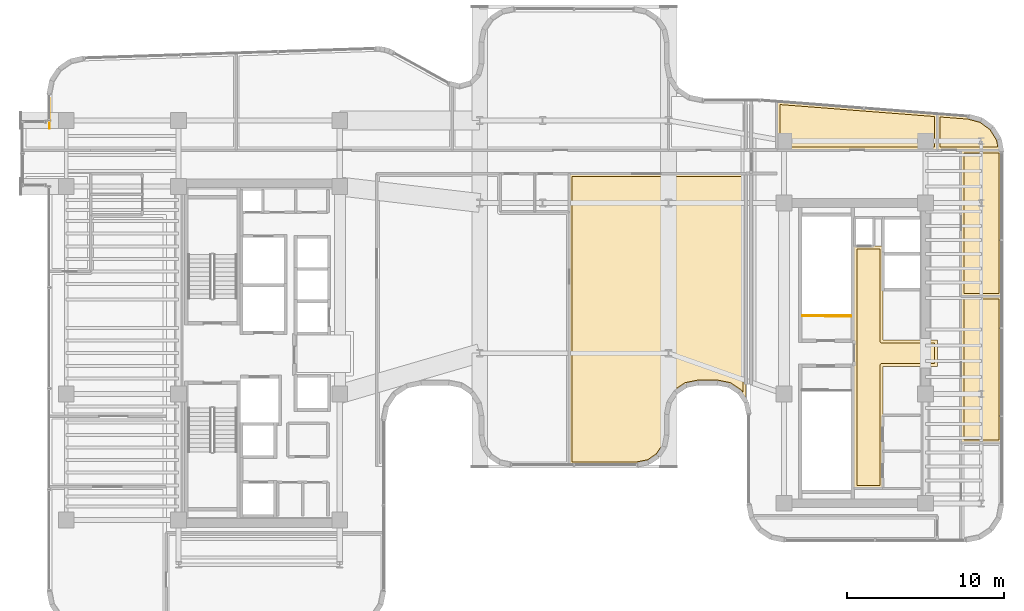
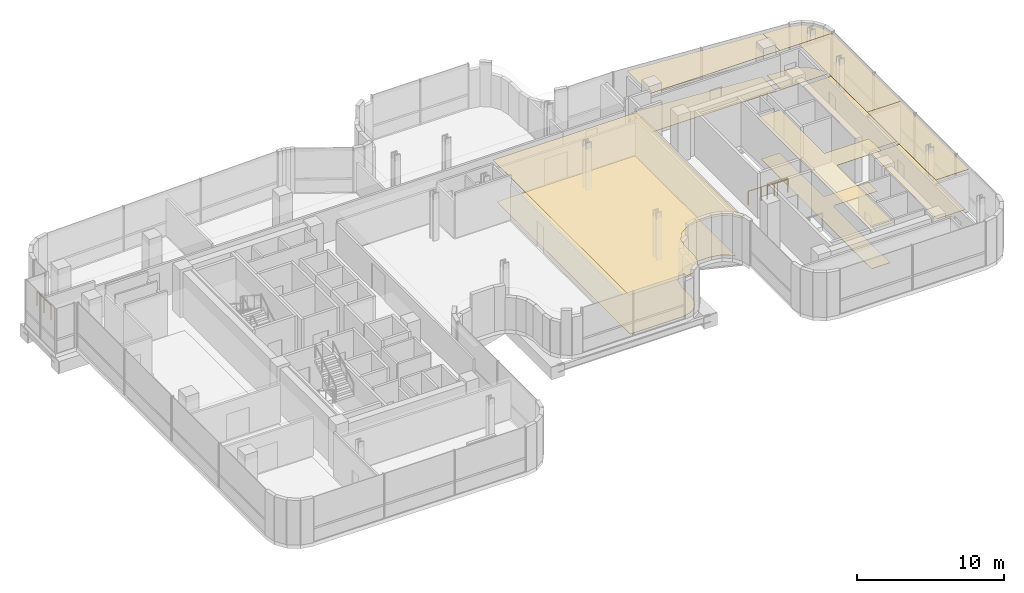
# One storey, part 34 of 35: 12 coverings, 3 railings.
"""IFC4 building model written with IfcOpenShell, lengths in metres."""

from ifc_helpers import new_model, si_unit, direction, frame, origin, origin_2d, place, context, subcontext, project, spatial, polyline, circle, outline, extrude, material, layer, layer_set, type_object, element, save


model = new_model("IFC4")

# Units and contexts
model_context = context("Model", 3, precision=1e-05, world=origin(), true_north=direction((0.0, 1.0)))
body_context = subcontext(model_context, "Body", "Model", "MODEL_VIEW")
ifc_project = project(units=[si_unit("LENGTHUNIT", "METRE"), si_unit("AREAUNIT", "SQUARE_METRE"), si_unit("VOLUMEUNIT", "CUBIC_METRE"), si_unit("PLANEANGLEUNIT", "RADIAN"), si_unit("MASSUNIT", "GRAM", prefix="KILO")], contexts=[model_context])

# Site, building, storey
site_placement = place(None, origin())
site = spatial("IfcSite", under=ifc_project, at=site_placement, CompositionType="ELEMENT")
building_placement = place(site_placement, origin())
building = spatial("IfcBuilding", under=site, at=building_placement, Name="Valdorenza Pilgrim Sanctuary Tower", CompositionType="ELEMENT")
storey_placement = place(building_placement, frame((0.0, 0.0, 192.35009765625)))
storey = spatial("IfcBuildingStorey", under=building, at=storey_placement, Name="L49", CompositionType="ELEMENT", Elevation=192.35009765625)

# Coverings
ifc_material_1 = material(Name="Micro-perforated acoustic mineral ceiling tile", Category="gypsum")
ifc_layer_1 = layer(ifc_material_1, 0.02490234375, Name="Micro-perforated acoustic mineral ceiling tile")
ifc_layer_set_1 = layer_set([ifc_layer_1], Name="Micro-perforated acoustic mineral ceiling tile")
covering_type_1 = type_object("IfcCoveringType", Name="COV-CLG-ACU", PredefinedType="CEILING", material=ifc_layer_set_1)
covering_1_placement = place(storey_placement, frame((0.0, 0.0, 3.409912109375)))
element("IfcCovering", 1, at=covering_1_placement, inside=storey, type_object=covering_type_1, Name="L49 Core B Passenger Lift Lobby Acoustic Ceiling", PredefinedType="CEILING", context=body_context, shape_type="SweptSolid", body=[
    extrude(outline(polyline([(20.287109375, -0.814697265625), (20.287109375, 0.814697265625), (20.28662109375, 0.815185546875), (20.2861328125, 0.81640625), (20.28564453125, 0.81787109375), (20.285400390625, 0.819091796875), (20.28515625, 0.820556640625), (20.284912109375, 0.822021484375), (20.284912109375, 6.800048828125), (20.28515625, 6.801513671875), (20.285400390625, 6.802978515625), (20.28564453125, 6.804443359375), (20.2861328125, 6.8056640625), (20.286865234375, 6.80712890625), (20.28759765625, 6.808349609375), (20.288330078125, 6.8095703125), (20.289306640625, 6.810546875), (20.29052734375, 6.8115234375), (20.291748046875, 6.8125), (20.29296875, 6.813232421875), (20.294189453125, 6.81396484375), (20.295654296875, 6.814453125), (20.297119140625, 6.814697265625), (20.298583984375, 6.81494140625), (20.300048828125, 6.81494140625), (20.347900390625, 6.81494140625), (20.349365234375, 6.81494140625), (20.350830078125, 6.814697265625), (20.352294921875, 6.814453125), (20.353515625, 6.81396484375), (20.35498046875, 6.813232421875), (20.35546875, 6.81298828125), (21.544677734375, 6.81298828125), (21.545166015625, 6.813232421875), (21.54638671875, 6.81396484375), (21.5478515625, 6.814453125), (21.54931640625, 6.814697265625), (21.550537109375, 6.81494140625), (21.552001953125, 6.81494140625), (22.1201171875, 6.81494140625), (22.12158203125, 6.81494140625), (22.122802734375, 6.814697265625), (22.12451171875, 6.814453125), (22.125732421875, 6.81396484375), (22.127197265625, 6.813232421875), (22.12841796875, 6.8125), (22.12939453125, 6.8115234375), (22.130615234375, 6.810546875), (22.131591796875, 6.8095703125), (22.132568359375, 6.808349609375), (22.13330078125, 6.80712890625), (22.1337890625, 6.8056640625), (22.134521484375, 6.804443359375), (22.134765625, 6.802978515625), (22.135009765625, 6.801513671875), (22.135009765625, 6.800048828125), (22.135009765625, 0.8349609375), (25.60009765625, 0.8349609375), (25.6015625, 0.8349609375), (25.602783203125, 0.834716796875), (25.6044921875, 0.83447265625), (25.605712890625, 0.833984375), (25.607177734375, 0.833251953125), (25.6083984375, 0.83251953125), (25.609619140625, 0.83154296875), (25.610595703125, 0.83056640625), (25.611572265625, 0.82958984375), (25.612548828125, 0.828369140625), (25.61328125, 0.8271484375), (25.614013671875, 0.82568359375), (25.614501953125, 0.824462890625), (25.61474609375, 0.822998046875), (25.614990234375, 0.821533203125), (25.614990234375, 0.820068359375), (25.614990234375, -0.820068359375), (25.614990234375, -0.821533203125), (25.61474609375, -0.822998046875), (25.614501953125, -0.824462890625), (25.614013671875, -0.82568359375), (25.61328125, -0.8271484375), (25.612548828125, -0.828369140625), (25.611572265625, -0.82958984375), (25.610595703125, -0.83056640625), (25.609619140625, -0.83154296875), (25.6083984375, -0.83251953125), (25.607177734375, -0.833251953125), (25.605712890625, -0.833984375), (25.6044921875, -0.83447265625), (25.602783203125, -0.834716796875), (25.6015625, -0.8349609375), (25.60009765625, -0.8349609375), (22.135009765625, -0.8349609375), (22.135009765625, -8.60009765625), (22.135009765625, -8.6015625), (22.134765625, -8.602783203125), (22.134521484375, -8.6044921875), (22.1337890625, -8.605712890625), (22.13330078125, -8.607177734375), (22.132568359375, -8.6083984375), (22.131591796875, -8.609619140625), (22.130615234375, -8.610595703125), (22.12939453125, -8.611572265625), (22.12841796875, -8.612548828125), (22.127197265625, -8.61328125), (22.125732421875, -8.614013671875), (22.12451171875, -8.614501953125), (22.122802734375, -8.61474609375), (22.12158203125, -8.614990234375), (22.1201171875, -8.614990234375), (20.300048828125, -8.614990234375), (20.298583984375, -8.614990234375), (20.297119140625, -8.61474609375), (20.295654296875, -8.614501953125), (20.294189453125, -8.614013671875), (20.29296875, -8.61328125), (20.291748046875, -8.612548828125), (20.29052734375, -8.611572265625), (20.289306640625, -8.610595703125), (20.288330078125, -8.609619140625), (20.28759765625, -8.6083984375), (20.286865234375, -8.607177734375), (20.2861328125, -8.605712890625), (20.28564453125, -8.6044921875), (20.285400390625, -8.602783203125), (20.28515625, -8.6015625), (20.284912109375, -8.60009765625), (20.284912109375, -0.822021484375), (20.28515625, -0.820556640625), (20.285400390625, -0.819091796875), (20.28564453125, -0.81787109375), (20.2861328125, -0.81640625), (20.28662109375, -0.815185546875), (20.287109375, -0.814697265625)])), origin(), (0.0, 0.0, 1.0), 0.02490234375),
])
covering_2_placement = place(storey_placement, frame((0.0, 0.0, 3.409912109375)))
element("IfcCovering", 2, at=covering_2_placement, inside=storey, type_object=covering_type_1, Name="L49 Sacred Archive Reading Library Acoustic Ceiling", PredefinedType="CEILING", context=body_context, shape_type="SweptSolid", body=[
    extrude(outline(polyline([(2.18701171875, 8.996337890625), (2.18701171875, 8.996826171875), (2.186767578125, 8.99853515625), (2.186767578125, 9.0), (2.18701171875, 9.00146484375), (2.18701171875, 9.001708984375), (2.18701171875, 11.419921875), (2.18701171875, 11.42138671875), (2.187255859375, 11.4228515625), (2.1875, 11.42431640625), (2.18798828125, 11.42578125), (2.188720703125, 11.427001953125), (2.189453125, 11.42822265625), (2.1904296875, 11.429443359375), (2.19140625, 11.4306640625), (2.1923828125, 11.431640625), (2.193603515625, 11.4326171875), (2.19482421875, 11.43310546875), (2.1962890625, 11.433837890625), (2.197509765625, 11.434326171875), (2.19921875, 11.434814453125), (2.200439453125, 11.434814453125), (2.201904296875, 11.43505859375), (13.419921875, 11.43505859375), (13.42138671875, 11.434814453125), (13.4228515625, 11.434814453125), (13.42431640625, 11.434326171875), (13.42578125, 11.433837890625), (13.427001953125, 11.43310546875), (13.42822265625, 11.4326171875), (13.429443359375, 11.431640625), (13.4306640625, 11.4306640625), (13.431640625, 11.429443359375), (13.4326171875, 11.42822265625), (13.43310546875, 11.427001953125), (13.433837890625, 11.42578125), (13.434326171875, 11.42431640625), (13.434814453125, 11.4228515625), (13.434814453125, 11.42138671875), (13.43505859375, 11.419921875), (13.43505859375, -3.071533203125), (13.434814453125, -3.072998046875), (13.434814453125, -3.074462890625), (13.434326171875, -3.075927734375), (13.433837890625, -3.077392578125), (13.43310546875, -3.07861328125), (13.4326171875, -3.079833984375), (13.431640625, -3.0810546875), (13.4306640625, -3.082275390625), (13.429443359375, -3.083251953125), (13.42822265625, -3.083984375), (13.427001953125, -3.084716796875), (13.42578125, -3.08544921875), (13.42431640625, -3.0859375), (13.4228515625, -3.086181640625), (13.42138671875, -3.08642578125), (13.419921875, -3.086669921875), (13.41845703125, -3.08642578125), (13.4169921875, -3.086181640625), (13.41552734375, -3.0859375), (13.414306640625, -3.08544921875), (13.412841796875, -3.084716796875), (13.41162109375, -3.083984375), (13.410400390625, -3.083251953125), (13.409423828125, -3.082275390625), (13.408447265625, -3.0810546875), (13.407470703125, -3.079833984375), (13.022705078125, -2.50390625), (13.016845703125, -2.49609375), (13.0107421875, -2.4892578125), (13.00390625, -2.483154296875), (12.99609375, -2.477294921875), (12.380126953125, -2.06591796875), (12.371826171875, -2.060791015625), (12.36328125, -2.056884765625), (12.354736328125, -2.0537109375), (12.34521484375, -2.051513671875), (11.618896484375, -1.906982421875), (11.609375, -1.905517578125), (11.599609375, -1.905029296875), (10.400390625, -1.905029296875), (10.390625, -1.905517578125), (10.381103515625, -1.906982421875), (9.65478515625, -2.051513671875), (9.645263671875, -2.0537109375), (9.63671875, -2.056884765625), (9.628173828125, -2.060791015625), (9.619873046875, -2.06591796875), (9.00390625, -2.477294921875), (8.99609375, -2.483154296875), (8.9892578125, -2.4892578125), (8.983154296875, -2.49609375), (8.977294921875, -2.50390625), (8.56591796875, -3.119873046875), (8.560791015625, -3.128173828125), (8.556884765625, -3.13671875), (8.5537109375, -3.145263671875), (8.551513671875, -3.15478515625), (8.406982421875, -3.881103515625), (8.405517578125, -3.890625), (8.405029296875, -3.900390625), (8.405029296875, -5.213134765625), (8.40478515625, -5.214599609375), (8.40478515625, -5.216064453125), (8.2607421875, -5.940185546875), (8.26025390625, -5.941650390625), (8.259765625, -5.943115234375), (8.25927734375, -5.9443359375), (8.258544921875, -5.945556640625), (7.8544921875, -6.55029296875), (7.853515625, -6.551513671875), (7.8525390625, -6.552490234375), (7.851318359375, -6.553466796875), (7.85009765625, -6.554443359375), (7.24560546875, -6.95849609375), (7.244384765625, -6.959228515625), (7.242919921875, -6.959716796875), (7.24169921875, -6.960205078125), (7.240234375, -6.960693359375), (6.51611328125, -7.104736328125), (6.5146484375, -7.10498046875), (6.51318359375, -7.10498046875), (2.201904296875, -7.10498046875), (2.200439453125, -7.10498046875), (2.19921875, -7.104736328125), (2.197509765625, -7.1044921875), (2.1962890625, -7.10400390625), (2.19482421875, -7.103271484375), (2.193603515625, -7.1025390625), (2.1923828125, -7.1015625), (2.19140625, -7.1005859375), (2.1904296875, -7.099609375), (2.189453125, -7.098388671875), (2.188720703125, -7.09716796875), (2.18798828125, -7.095703125), (2.1875, -7.094482421875), (2.187255859375, -7.093017578125), (2.18701171875, -7.091552734375), (2.18701171875, -7.090087890625), (2.18701171875, 8.996337890625)])), origin(), (0.0, 0.0, 1.0), 0.02490234375),
])
covering_3_placement = place(storey_placement, frame((0.0, 0.0, 3.409912109375)))
element("IfcCovering", 3, at=covering_3_placement, inside=storey, type_object=covering_type_1, Name="L49 Curator Research Office L49-BN1 Acoustic Ceiling", PredefinedType="CEILING", context=body_context, shape_type="SweptSolid", body=[
    extrude(outline(polyline([(15.39990234375, 12.905029296875), (15.3984375, 12.905029296875), (15.397216796875, 12.9052734375), (15.3955078125, 12.905517578125), (15.394287109375, 12.906005859375), (15.392822265625, 12.90673828125), (15.3916015625, 12.907470703125), (15.390380859375, 12.908447265625), (15.389404296875, 12.909423828125), (15.388427734375, 12.910400390625), (15.387451171875, 12.91162109375), (15.38671875, 12.912841796875), (15.385986328125, 12.914306640625), (15.385498046875, 12.91552734375), (15.38525390625, 12.9169921875), (15.385009765625, 12.91845703125), (15.385009765625, 12.919921875), (15.385009765625, 16.00439453125), (15.385009765625, 16.006103515625), (15.38525390625, 16.00732421875), (15.385498046875, 16.0087890625), (15.385986328125, 16.01025390625), (15.38671875, 16.011474609375), (15.387451171875, 16.0126953125), (15.38818359375, 16.013916015625), (15.389404296875, 16.014892578125), (15.390380859375, 16.01611328125), (15.3916015625, 16.016845703125), (15.392822265625, 16.017578125), (15.39404296875, 16.018310546875), (15.3955078125, 16.018798828125), (15.396728515625, 16.019287109375), (15.398193359375, 16.019287109375), (15.399658203125, 16.01953125), (15.401123046875, 16.01953125), (25.601318359375, 15.229736328125), (25.6025390625, 15.2294921875), (25.60400390625, 15.229248046875), (25.60546875, 15.228759765625), (25.60693359375, 15.228271484375), (25.608154296875, 15.2275390625), (25.609375, 15.2265625), (25.610595703125, 15.2255859375), (25.611572265625, 15.224609375), (25.6123046875, 15.223388671875), (25.61328125, 15.221923828125), (25.61376953125, 15.220703125), (25.6142578125, 15.21923828125), (25.61474609375, 15.2177734375), (25.614990234375, 15.21630859375), (25.614990234375, 15.21484375), (25.614990234375, 12.919921875), (25.614990234375, 12.91845703125), (25.61474609375, 12.9169921875), (25.614501953125, 12.91552734375), (25.614013671875, 12.914306640625), (25.61328125, 12.912841796875), (25.612548828125, 12.91162109375), (25.611572265625, 12.910400390625), (25.610595703125, 12.909423828125), (25.609619140625, 12.908447265625), (25.6083984375, 12.907470703125), (25.607177734375, 12.90673828125), (25.605712890625, 12.906005859375), (25.6044921875, 12.905517578125), (25.602783203125, 12.9052734375), (25.6015625, 12.905029296875), (25.60009765625, 12.905029296875), (15.39990234375, 12.905029296875)])), origin(), (0.0, 0.0, 1.0), 0.02490234375),
])
covering_4_placement = place(storey_placement, frame((0.0, 0.0, 3.409912109375)))
element("IfcCovering", 4, at=covering_4_placement, inside=storey, type_object=covering_type_1, Name="L49 East Wing Reference Library L49-BNE Acoustic Ceiling", PredefinedType="CEILING", context=body_context, shape_type="SweptSolid", body=[
    extrude(outline(polyline([(27.567626953125, 15.07763671875), (27.569091796875, 15.077392578125), (27.570556640625, 15.0771484375), (28.400390625, 14.852783203125), (28.40185546875, 14.852294921875), (28.403076171875, 14.851806640625), (28.404296875, 14.85107421875), (28.405517578125, 14.850341796875), (29.088134765625, 14.344970703125), (29.089111328125, 14.343994140625), (29.090087890625, 14.343017578125), (29.091064453125, 14.342041015625), (29.091796875, 14.3408203125), (29.543212890625, 13.62109375), (29.543701171875, 13.6201171875), (29.544189453125, 13.61865234375), (29.544921875, 13.617431640625), (29.545166015625, 13.615966796875), (29.676025390625, 12.9228515625), (29.67626953125, 12.92138671875), (29.67626953125, 12.919921875), (29.67626953125, 12.91845703125), (29.676025390625, 12.9169921875), (29.67578125, 12.91552734375), (29.67529296875, 12.914306640625), (29.674560546875, 12.912841796875), (29.673828125, 12.91162109375), (29.6728515625, 12.910400390625), (29.671875, 12.9091796875), (29.6708984375, 12.908447265625), (29.669677734375, 12.907470703125), (29.66845703125, 12.90673828125), (29.6669921875, 12.906005859375), (29.665771484375, 12.905517578125), (29.664306640625, 12.9052734375), (29.662841796875, 12.905029296875), (29.661376953125, 12.905029296875), (25.60205078125, 12.905029296875), (25.6005859375, 12.905029296875), (25.59912109375, 12.9052734375), (25.59765625, 12.905517578125), (25.59619140625, 12.906005859375), (25.594970703125, 12.90673828125), (25.59375, 12.907470703125), (25.592529296875, 12.908447265625), (25.59130859375, 12.909423828125), (25.59033203125, 12.910400390625), (25.589599609375, 12.91162109375), (25.5888671875, 12.912841796875), (25.588134765625, 12.914306640625), (25.587646484375, 12.91552734375), (25.58740234375, 12.9169921875), (25.587158203125, 12.91845703125), (25.5869140625, 12.919921875), (25.5869140625, 15.214599609375), (25.587158203125, 15.21630859375), (25.58740234375, 15.217529296875), (25.587646484375, 15.218994140625), (25.588134765625, 15.220458984375), (25.588623046875, 15.2216796875), (25.589599609375, 15.222900390625), (25.59033203125, 15.22412109375), (25.59130859375, 15.22509765625), (25.59228515625, 15.226318359375), (25.593505859375, 15.22705078125), (25.5947265625, 15.227783203125), (25.59619140625, 15.228515625), (25.597412109375, 15.22900390625), (25.598876953125, 15.2294921875), (25.600341796875, 15.2294921875), (25.601806640625, 15.229736328125), (25.603271484375, 15.229736328125), (27.567626953125, 15.07763671875)])), origin(), (0.0, 0.0, 1.0), 0.02490234375),
])
covering_5_placement = place(storey_placement, frame((0.0, 0.0, 3.409912109375)))
element("IfcCovering", 5, at=covering_5_placement, inside=storey, type_object=covering_type_1, Name="L49 Private Banquet Dining Room L49-EB2 Acoustic Ceiling", PredefinedType="CEILING", context=body_context, shape_type="SweptSolid", body=[
    extrude(outline(polyline([(27.0849609375, 3.61328125), (27.085205078125, 3.61474609375), (27.085205078125, 3.6162109375), (27.085693359375, 3.61767578125), (27.086181640625, 3.618896484375), (27.0869140625, 3.620361328125), (27.08740234375, 3.62158203125), (27.08837890625, 3.622802734375), (27.08935546875, 3.623779296875), (27.090576171875, 3.625), (27.091796875, 3.625732421875), (27.093017578125, 3.62646484375), (27.09423828125, 3.627197265625), (27.095703125, 3.627685546875), (27.09716796875, 3.6279296875), (27.098388671875, 3.628173828125), (27.10009765625, 3.62841796875), (29.68994140625, 3.62841796875), (29.69140625, 3.628173828125), (29.69287109375, 3.6279296875), (29.6943359375, 3.627685546875), (29.69580078125, 3.627197265625), (29.697021484375, 3.62646484375), (29.6982421875, 3.625732421875), (29.699462890625, 3.625), (29.70068359375, 3.623779296875), (29.70166015625, 3.622802734375), (29.702392578125, 3.62158203125), (29.703125, 3.620361328125), (29.703857421875, 3.618896484375), (29.704345703125, 3.61767578125), (29.70458984375, 3.6162109375), (29.704833984375, 3.61474609375), (29.705078125, 3.61328125), (29.705078125, -5.69140625), (29.704833984375, -5.69287109375), (29.70458984375, -5.694091796875), (29.704345703125, -5.69580078125), (29.703857421875, -5.697021484375), (29.703125, -5.698486328125), (29.702392578125, -5.69970703125), (29.70166015625, -5.70068359375), (29.70068359375, -5.701904296875), (29.699462890625, -5.702880859375), (29.6982421875, -5.703857421875), (29.697021484375, -5.70458984375), (29.69580078125, -5.705078125), (29.6943359375, -5.705810546875), (29.69287109375, -5.7060546875), (29.69140625, -5.706298828125), (29.68994140625, -5.706298828125), (27.10009765625, -5.706298828125), (27.098388671875, -5.706298828125), (27.09716796875, -5.7060546875), (27.095703125, -5.705810546875), (27.09423828125, -5.705078125), (27.093017578125, -5.70458984375), (27.091796875, -5.703857421875), (27.090576171875, -5.702880859375), (27.08935546875, -5.701904296875), (27.08837890625, -5.70068359375), (27.08740234375, -5.69970703125), (27.0869140625, -5.698486328125), (27.086181640625, -5.697021484375), (27.085693359375, -5.69580078125), (27.085205078125, -5.694091796875), (27.085205078125, -5.69287109375), (27.0849609375, -5.69140625), (27.0849609375, 3.61328125)])), origin(), (0.0, 0.0, 1.0), 0.02490234375),
])
covering_6_placement = place(storey_placement, frame((0.0, 0.0, 3.409912109375)))
element("IfcCovering", 6, at=covering_6_placement, inside=storey, type_object=covering_type_1, Name="L49 Private Banquet Dining Room L49-EB3 Acoustic Ceiling", PredefinedType="CEILING", context=body_context, shape_type="SweptSolid", body=[
    extrude(outline(polyline([(27.0849609375, 12.91796875), (27.085205078125, 12.91943359375), (27.085205078125, 12.9208984375), (27.085693359375, 12.92236328125), (27.086181640625, 12.923583984375), (27.0869140625, 12.925048828125), (27.08740234375, 12.92626953125), (27.08837890625, 12.927490234375), (27.08935546875, 12.9287109375), (27.090576171875, 12.9296875), (27.091796875, 12.930419921875), (27.093017578125, 12.93115234375), (27.09423828125, 12.931884765625), (27.095703125, 12.932373046875), (27.09716796875, 12.9326171875), (27.098388671875, 12.932861328125), (27.10009765625, 12.93310546875), (29.660888671875, 12.93310546875), (29.660888671875, 12.93310546875), (29.662353515625, 12.93310546875), (29.663818359375, 12.932861328125), (29.665283203125, 12.9326171875), (29.66650390625, 12.93212890625), (29.66796875, 12.931640625), (29.669189453125, 12.930908203125), (29.67041015625, 12.930419921875), (29.67138671875, 12.929443359375), (29.672607421875, 12.928466796875), (29.673583984375, 12.92724609375), (29.67431640625, 12.926025390625), (29.675048828125, 12.9248046875), (29.67578125, 12.923583984375), (29.676025390625, 12.922119140625), (29.676513671875, 12.9208984375), (29.70458984375, 12.77099609375), (29.704833984375, 12.769775390625), (29.705078125, 12.768310546875), (29.705078125, 3.615234375), (29.704833984375, 3.61376953125), (29.70458984375, 3.6123046875), (29.704345703125, 3.61083984375), (29.703857421875, 3.609619140625), (29.703125, 3.608154296875), (29.702392578125, 3.60693359375), (29.70166015625, 3.605712890625), (29.70068359375, 3.604736328125), (29.699462890625, 3.603759765625), (29.6982421875, 3.602783203125), (29.697021484375, 3.60205078125), (29.69580078125, 3.601318359375), (29.6943359375, 3.600830078125), (29.69287109375, 3.6005859375), (29.69140625, 3.600341796875), (29.68994140625, 3.600341796875), (27.10009765625, 3.600341796875), (27.098388671875, 3.600341796875), (27.09716796875, 3.6005859375), (27.095703125, 3.600830078125), (27.09423828125, 3.601318359375), (27.093017578125, 3.60205078125), (27.091796875, 3.602783203125), (27.090576171875, 3.603759765625), (27.08935546875, 3.604736328125), (27.08837890625, 3.605712890625), (27.08740234375, 3.60693359375), (27.0869140625, 3.608154296875), (27.086181640625, 3.609619140625), (27.085693359375, 3.61083984375), (27.085205078125, 3.6123046875), (27.085205078125, 3.61376953125), (27.0849609375, 3.615234375), (27.0849609375, 12.91796875)])), origin(), (0.0, 0.0, 1.0), 0.02490234375),
])
ifc_material_2 = material(Name="Engineered European oak timber flooring", Category="wood")
ifc_layer_2 = layer(ifc_material_2, 0.02197265625, Name="Engineered European oak timber flooring")
ifc_layer_set_2 = layer_set([ifc_layer_2], Name="Engineered European oak timber flooring")
covering_type_2 = type_object("IfcCoveringType", Name="COV-FLR-OAK", PredefinedType="FLOORING", material=ifc_layer_set_2)
covering_7_placement = place(storey_placement, origin())
element("IfcCovering", 7, at=covering_7_placement, inside=storey, type_object=covering_type_2, Name="L49 Private Banquet Dining Room L49-EB2 Flooring", PredefinedType="FLOORING", context=body_context, shape_type="SweptSolid", body=[
    extrude(outline(polyline([(27.280029296875, 3.433349609375), (29.510009765625, 3.433349609375), (29.510009765625, -5.51123046875), (27.280029296875, -5.51123046875), (27.280029296875, 3.433349609375)])), origin(), (0.0, 0.0, 1.0), 0.02490234375),
])
covering_8_placement = place(storey_placement, origin())
element("IfcCovering", 8, at=covering_8_placement, inside=storey, type_object=covering_type_2, Name="L49 Private Banquet Dining Room L49-EB3 Flooring", PredefinedType="FLOORING", context=body_context, shape_type="SweptSolid", body=[
    extrude(outline(polyline([(27.280029296875, 12.738037109375), (29.510009765625, 12.738037109375), (29.510009765625, 3.79541015625), (27.280029296875, 3.79541015625), (27.280029296875, 12.738037109375)])), origin(), (0.0, 0.0, 1.0), 0.02490234375),
])
ifc_material_3 = material(Name="Honed travertine stone flooring", Category="masonry")
ifc_layer_3 = layer(ifc_material_3, 0.030029296875, Name="Honed travertine stone flooring")
ifc_layer_set_3 = layer_set([ifc_layer_3], Name="Honed travertine stone flooring")
covering_type_3 = type_object("IfcCoveringType", Name="COV-FLR-TRV", PredefinedType="FLOORING", material=ifc_layer_set_3)
covering_9_placement = place(storey_placement, origin())
element("IfcCovering", 9, at=covering_9_placement, inside=storey, type_object=covering_type_3, Name="L49 Core B Passenger Lift Lobby Flooring", PredefinedType="FLOORING", context=body_context, shape_type="SweptSolid", body=[
    extrude(outline(polyline([(20.47998046875, 6.617919921875), (21.550048828125, 6.617919921875), (21.550537109375, 6.617919921875), (21.93994140625, 6.619384765625), (21.93994140625, 0.820068359375), (21.94091796875, 0.802490234375), (21.943603515625, 0.784912109375), (21.94775390625, 0.767578125), (21.95361328125, 0.751220703125), (21.961181640625, 0.735107421875), (21.97021484375, 0.719970703125), (21.98095703125, 0.705810546875), (21.99267578125, 0.692626953125), (22.005859375, 0.680908203125), (22.02001953125, 0.67041015625), (22.03515625, 0.661376953125), (22.051025390625, 0.65380859375), (22.067626953125, 0.647705078125), (22.0849609375, 0.6435546875), (22.102294921875, 0.640869140625), (22.1201171875, 0.639892578125), (25.419921875, 0.639892578125), (25.419921875, -0.639892578125), (22.1201171875, -0.639892578125), (22.102294921875, -0.640869140625), (22.0849609375, -0.6435546875), (22.067626953125, -0.647705078125), (22.051025390625, -0.65380859375), (22.03515625, -0.661376953125), (22.02001953125, -0.67041015625), (22.005859375, -0.680908203125), (21.99267578125, -0.692626953125), (21.98095703125, -0.705810546875), (21.97021484375, -0.719970703125), (21.961181640625, -0.735107421875), (21.95361328125, -0.751220703125), (21.94775390625, -0.767578125), (21.943603515625, -0.784912109375), (21.94091796875, -0.802490234375), (21.93994140625, -0.820068359375), (21.93994140625, -8.419921875), (20.47998046875, -8.419921875), (20.47998046875, -0.846923828125), (20.47998046875, -0.8466796875), (20.47998046875, -0.8466796875), (20.481689453125, -0.8291015625), (20.481689453125, -0.828857421875), (20.48193359375, -0.820068359375), (20.48193359375, 0.820068359375), (20.47998046875, 6.617919921875)])), origin(), (0.0, 0.0, 1.0), 0.02490234375),
])
covering_10_placement = place(storey_placement, origin())
element("IfcCovering", 10, at=covering_10_placement, inside=storey, type_object=covering_type_3, Name="L49 Sacred Archive Reading Library Flooring", PredefinedType="FLOORING", context=body_context, shape_type="SweptSolid", body=[
    extrude(outline(polyline([(2.382080078125, 8.999755859375), (2.382080078125, 9.0), (2.382080078125, 11.239990234375), (13.239990234375, 11.239990234375), (13.239990234375, -2.478271484375), (13.1845703125, -2.3955078125), (13.179443359375, -2.38818359375), (13.173095703125, -2.37939453125), (13.161865234375, -2.36572265625), (13.15478515625, -2.35791015625), (13.14208984375, -2.34521484375), (13.13427734375, -2.338134765625), (13.12060546875, -2.326904296875), (13.11181640625, -2.320556640625), (13.1044921875, -2.3154296875), (12.48828125, -1.903564453125), (12.480712890625, -1.898681640625), (12.471435546875, -1.893310546875), (12.455810546875, -1.885009765625), (12.4462890625, -1.88037109375), (12.4296875, -1.87353515625), (12.419677734375, -1.869873046875), (12.40283203125, -1.86474609375), (12.392333984375, -1.862060546875), (12.3837890625, -1.860107421875), (11.656494140625, -1.715576171875), (11.64794921875, -1.714111328125), (11.63720703125, -1.71240234375), (11.61962890625, -1.710693359375), (11.60888671875, -1.710205078125), (11.60009765625, -1.7099609375), (10.39990234375, -1.7099609375), (10.39111328125, -1.710205078125), (10.38037109375, -1.710693359375), (10.36279296875, -1.71240234375), (10.35205078125, -1.714111328125), (10.343505859375, -1.715576171875), (9.6162109375, -1.860107421875), (9.607666015625, -1.862060546875), (9.59716796875, -1.86474609375), (9.580322265625, -1.869873046875), (9.5703125, -1.87353515625), (9.5537109375, -1.88037109375), (9.544189453125, -1.885009765625), (9.528564453125, -1.893310546875), (9.519287109375, -1.898681640625), (9.51171875, -1.903564453125), (8.8955078125, -2.3154296875), (8.88818359375, -2.320556640625), (8.87939453125, -2.326904296875), (8.86572265625, -2.338134765625), (8.85791015625, -2.34521484375), (8.84521484375, -2.35791015625), (8.838134765625, -2.36572265625), (8.826904296875, -2.37939453125), (8.820556640625, -2.38818359375), (8.8154296875, -2.3955078125), (8.403564453125, -3.01171875), (8.398681640625, -3.019287109375), (8.393310546875, -3.028564453125), (8.385009765625, -3.044189453125), (8.38037109375, -3.0537109375), (8.37353515625, -3.0703125), (8.369873046875, -3.080322265625), (8.36474609375, -3.09716796875), (8.362060546875, -3.107666015625), (8.360107421875, -3.1162109375), (8.215576171875, -3.843505859375), (8.214111328125, -3.85205078125), (8.21240234375, -3.86279296875), (8.210693359375, -3.88037109375), (8.210205078125, -3.89111328125), (8.2099609375, -3.89990234375), (8.2099609375, -5.1953125), (8.076416015625, -5.866943359375), (7.712158203125, -6.412109375), (7.1669921875, -6.7763671875), (6.495361328125, -6.909912109375), (2.382080078125, -6.909912109375), (2.382080078125, 8.998046875), (2.382080078125, 8.9990234375), (2.382080078125, 8.999755859375)])), origin(), (0.0, 0.0, 1.0), 0.02490234375),
])
covering_11_placement = place(storey_placement, origin())
element("IfcCovering", 11, at=covering_11_placement, inside=storey, type_object=covering_type_3, Name="L49 Curator Research Office L49-BN1 Flooring", PredefinedType="FLOORING", context=body_context, shape_type="SweptSolid", body=[
    extrude(outline(polyline([(15.580078125, 13.10009765625), (15.580078125, 15.81005859375), (25.419921875, 15.04833984375), (25.419921875, 13.10009765625), (15.580078125, 13.10009765625)])), origin(), (0.0, 0.0, 1.0), 0.02490234375),
])
covering_12_placement = place(storey_placement, origin())
element("IfcCovering", 12, at=covering_12_placement, inside=storey, type_object=covering_type_3, Name="L49 East Wing Reference Library L49-BNE Flooring", PredefinedType="FLOORING", context=body_context, shape_type="SweptSolid", body=[
    extrude(outline(polyline([(27.535888671875, 14.884521484375), (28.31689453125, 14.67333984375), (28.944580078125, 14.20849609375), (29.35986328125, 13.54638671875), (29.444091796875, 13.10009765625), (25.781982421875, 13.10009765625), (25.781982421875, 15.020263671875), (27.535888671875, 14.884521484375)])), origin(), (0.0, 0.0, 1.0), 0.02490234375),
])

# Railings
ifc_material_4 = material(Name="Stainless steel Grade 316", Category="steel")
railing_type = type_object("IfcRailingType", Name="RLG-GRD-1120", PredefinedType="GUARDRAIL", material=ifc_material_4)
railing_1_placement = place(storey_placement, frame((17.02001953125, 2.3798828125, 0.0)))
element("IfcRailing", 13, at=railing_1_placement, inside=storey, type_object=railing_type, Name="L49 Stair Top-Well Safety Guardrail STB1", PredefinedType="GUARDRAIL", context=body_context, shape_type="SweptSolid", body=[
    extrude(circle(Radius=0.02392578125, at=origin_2d()), frame((0.0, 0.0, 1.1259765625), z_axis=(1.0, 0.0, 0.0), x_axis=(0.0, 1.0, 0.0)), (0.0, 0.0, 1.0), 3.070068359375),
    extrude(circle(Radius=0.02099609375, at=origin_2d()), origin(), (0.0, 0.0, 1.0), 1.101806640625),
    extrude(circle(Radius=0.02099609375, at=origin_2d()), frame((1.0234375, 0.0, 0.0)), (0.0, 0.0, 1.0), 1.101806640625),
    extrude(circle(Radius=0.02099609375, at=origin_2d()), frame((2.046630859375, 0.0, 0.0)), (0.0, 0.0, 1.0), 1.101806640625),
    extrude(circle(Radius=0.02099609375, at=origin_2d()), frame((3.070068359375, 0.0, 0.0)), (0.0, 0.0, 1.0), 1.101806640625),
])
railing_2_placement = place(storey_placement, frame((-30.860107421875, 14.300048828125, 0.0)))
element("IfcRailing", 14, at=railing_2_placement, inside=storey, type_object=railing_type, Name="L49 NW Tangent Safety Sill Guard", PredefinedType="GUARDRAIL", context=body_context, shape_type="SweptSolid", body=[
    extrude(circle(Radius=0.02392578125, at=origin_2d()), frame((0.0, 0.0, 1.17578125), z_axis=(0.0, 1.0, 0.0), x_axis=(-1.0, 0.0, 0.0)), (0.0, 0.0, 1.0), 1.89990234375),
    extrude(circle(Radius=0.02099609375, at=origin_2d()), origin(), (0.0, 0.0, 1.0), 1.15185546875),
    extrude(circle(Radius=0.02099609375, at=origin_2d()), frame((0.0, 0.949951171875, 0.0)), (0.0, 0.0, 1.0), 1.15185546875),
    extrude(circle(Radius=0.02099609375, at=origin_2d()), frame((0.0, 1.89990234375, 0.0)), (0.0, 0.0, 1.0), 1.15185546875),
])
railing_3_placement = place(storey_placement, frame((20.110107421875, 2.330078125, 0.0)))
element("IfcRailing", 15, at=railing_3_placement, inside=storey, type_object=railing_type, Name="L49 ST-B1 top well guard 1", PredefinedType="GUARDRAIL", context=body_context, shape_type="SweptSolid", body=[
    extrude(circle(Radius=0.02392578125, at=origin_2d()), frame((0.0, 0.0, 1.076171875), z_axis=(-1.0, 0.0, 0.0), x_axis=(0.0, -1.0, 0.0)), (0.0, 0.0, 1.0), 1.630126953125),
    extrude(circle(Radius=0.02099609375, at=origin_2d()), origin(), (0.0, 0.0, 1.0), 1.052001953125),
    extrude(circle(Radius=0.02099609375, at=origin_2d()), frame((-0.81494140625, 0.0, 0.0)), (0.0, 0.0, 1.0), 1.052001953125),
    extrude(circle(Radius=0.02099609375, at=origin_2d()), frame((-1.630126953125, 0.0, 0.0)), (0.0, 0.0, 1.0), 1.052001953125),
])

save(model, "model.ifc")
